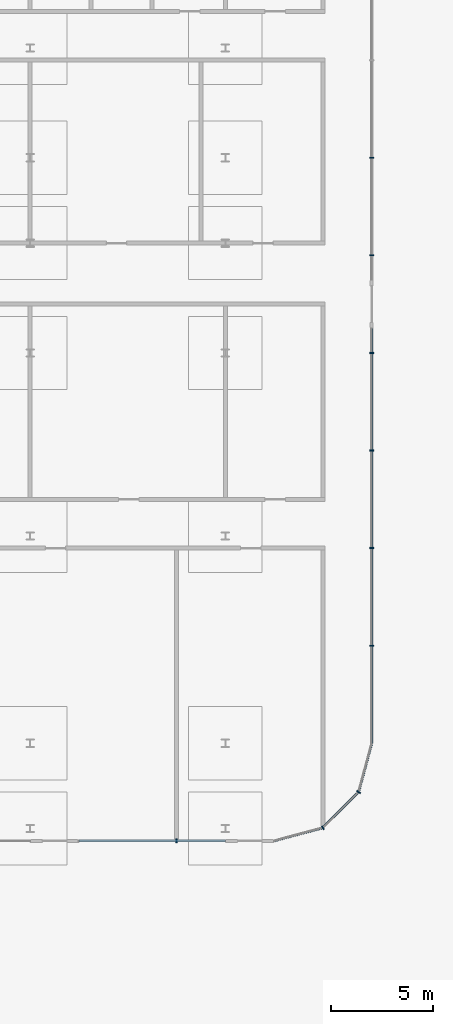
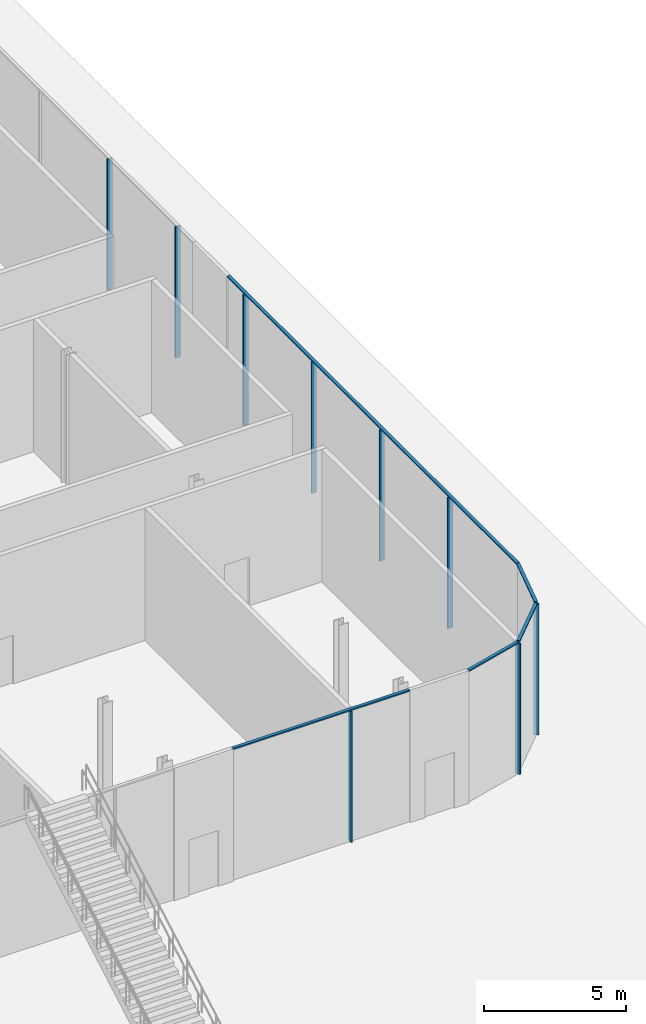
# One storey, part 11 of 44: 14 members, 3 elements without a shape of their own.
"""IFC4 building model written with IfcOpenShell, lengths in metres."""

import ifcopenshell
import ifcopenshell.guid

model = None  # the IFC model being written
_history = None  # IfcOwnerHistory: only IFC2X3 demands one
_inside = {}  # id of a spatial element -> (the spatial element, [elements in it])
_under = {}  # id of a project, library or spatial element -> (it, [spatial elements below it])
_declared = {}  # id of a project -> (the project, [libraries it declares])
_typed = {}  # id of a type object -> (the type object, [elements of that type])
_made_of = {}  # id of a material, layer set ... -> (it, [elements and type objects made of it])


def new_model(schema):
    """Start an empty IFC model of exactly this schema.

    Asked for "IFC4X3", IfcOpenShell would pick the latest addendum, in which some entities
    have other attributes; the version numbers below select the first issue.
    IFC2X3 requires an IfcOwnerHistory on every rooted entity: one is made here for all.
    """
    global model, _history
    if schema == "IFC4X3":
        model = ifcopenshell.file(schema_version=(4, 3, 0, 0))
    else:
        model = ifcopenshell.file(schema=schema)
    _inside.clear()
    _under.clear()
    _declared.clear()
    _typed.clear()
    _made_of.clear()
    _history = None
    if model.schema == "IFC2X3":
        org = make("IfcOrganization", Name="unknown")
        user = make(
            "IfcPersonAndOrganization",
            ThePerson=make("IfcPerson", FamilyName="unknown"),
            TheOrganization=org,
        )
        app = make(
            "IfcApplication",
            ApplicationDeveloper=org,
            Version="unknown",
            ApplicationFullName="unknown",
            ApplicationIdentifier="unknown",
        )
        _history = make(
            "IfcOwnerHistory",
            OwningUser=user,
            OwningApplication=app,
            ChangeAction="ADDED",
            CreationDate=0,
        )
    return model


def make(cls, **values):
    """One entity of the class cls with the attributes given. An attribute that is None is left unset."""
    return model.create_entity(
        cls, **{name: value for name, value in values.items() if value is not None}
    )


def rooted(cls, **values):
    """An entity with a GlobalId (a new one), such as an element, a storey or a relation."""
    return make(cls, GlobalId=ifcopenshell.guid.new(), OwnerHistory=_history, **values)


def si_unit(unit_type, name, prefix=None):
    """IfcSIUnit, for example si_unit("LENGTHUNIT", "METRE", prefix="MILLI")."""
    return make("IfcSIUnit", UnitType=unit_type, Prefix=prefix, Name=name)


def assignment(units):
    """IfcUnitAssignment: the units of a project."""
    return None if units is None else make("IfcUnitAssignment", Units=units)


def point(xyz):
    """IfcCartesianPoint."""
    return None if xyz is None else make("IfcCartesianPoint", Coordinates=xyz)


def direction(xyz):
    """IfcDirection."""
    return None if xyz is None else make("IfcDirection", DirectionRatios=xyz)


def frame(location, z_axis=None, x_axis=None):
    """IfcAxis2Placement3D, a coordinate frame: its origin and axes. An axis left out is left unset."""
    return make(
        "IfcAxis2Placement3D",
        Location=point(location),
        Axis=direction(z_axis),
        RefDirection=direction(x_axis),
    )


def frame_2d(location, x_axis=None):
    """IfcAxis2Placement2D, a coordinate frame in the plane: its origin and x axis."""
    return make(
        "IfcAxis2Placement2D", Location=point(location), RefDirection=direction(x_axis)
    )


def origin():
    """The frame at (0, 0, 0) with its axes left unset."""
    return frame((0.0, 0.0, 0.0))


def origin_2d():
    """The frame at (0, 0) in the plane with its x axis left unset."""
    return frame_2d((0.0, 0.0))


def place(relative_to, where):
    """IfcLocalPlacement: puts the frame where relative to a parent placement (None: the world)."""
    return make(
        "IfcLocalPlacement", PlacementRelTo=relative_to, RelativePlacement=where
    )


def context(
    kind, dimensions, precision=None, world=None, true_north=None, identifier=None
):
    """IfcGeometricRepresentationContext, for example the 3D "Model" context."""
    return make(
        "IfcGeometricRepresentationContext",
        ContextIdentifier=identifier,
        ContextType=kind,
        CoordinateSpaceDimension=dimensions,
        Precision=precision,
        WorldCoordinateSystem=world,
        TrueNorth=true_north,
    )


def subcontext(parent, identifier, kind, view, scale=None):
    """IfcGeometricRepresentationSubContext, for example "Body" below "Model"."""
    return make(
        "IfcGeometricRepresentationSubContext",
        ContextIdentifier=identifier,
        ContextType=kind,
        ParentContext=parent,
        TargetScale=scale,
        TargetView=view,
    )


def project(units=None, contexts=None):
    """IfcProject with its units and contexts."""
    return rooted(
        "IfcProject",
        Name="project",
        RepresentationContexts=contexts,
        UnitsInContext=assignment(units),
    )


def spatial(cls, under=None, at=None, **own):
    """A site, building, storey or space (cls), placed at a placement, below another one or the project."""
    s = rooted(cls, ObjectPlacement=at, **own)
    if under is not None:
        _under.setdefault(under.id(), (under, []))[1].append(s)
    return s


def profile(cls, at=None, kind="AREA", **sizes):
    """A parametric profile (cls). Its sizes go by their IFC names, for example OverallWidth=200.0."""
    return make(cls, ProfileType=kind, Position=at, **sizes)


def rectangle(**sizes):
    """IfcRectangleProfileDef."""
    return profile("IfcRectangleProfileDef", **sizes)


def extrude(swept, where, along, depth):
    """IfcExtrudedAreaSolid: the profile swept, set in the frame where, extruded along a direction by depth."""
    return make(
        "IfcExtrudedAreaSolid",
        SweptArea=swept,
        Position=where,
        ExtrudedDirection=direction(along),
        Depth=depth,
    )


def shape(context_of_items, identifier, shape_type, items):
    """IfcShapeRepresentation: the items that make up one representation, for example the "Body"."""
    return make(
        "IfcShapeRepresentation",
        ContextOfItems=context_of_items,
        RepresentationIdentifier=identifier,
        RepresentationType=shape_type,
        Items=items,
    )


def material(Name=None, Category=None):
    """IfcMaterial."""
    return make("IfcMaterial", Name=Name, Category=Category)


def layer(
    of_material, thickness, ventilated=None, Name=None, Category=None, Priority=None
):
    """IfcMaterialLayer: one layer of a wall or slab, of a material (None: an air gap)."""
    return make(
        "IfcMaterialLayer",
        Material=of_material,
        LayerThickness=thickness,
        IsVentilated=ventilated,
        Name=Name,
        Category=Category,
        Priority=Priority,
    )


def layer_set(layers, Name=None):
    """IfcMaterialLayerSet."""
    return make("IfcMaterialLayerSet", MaterialLayers=layers, LayerSetName=Name)


def material_profile(
    of_material, cross_section, Name=None, Category=None, Priority=None
):
    """IfcMaterialProfile: a cross section and its material."""
    return make(
        "IfcMaterialProfile",
        Name=Name,
        Material=of_material,
        Profile=cross_section,
        Priority=Priority,
        Category=Category,
    )


def profile_set(profiles, Name=None, composite=None):
    """IfcMaterialProfileSet."""
    return make(
        "IfcMaterialProfileSet",
        Name=Name,
        MaterialProfiles=profiles,
        CompositeProfile=composite,
    )


def made_of(thing, what):
    """Note that an element or type object is made of a material, layer set ...; save() writes the relation."""
    if what is not None:
        _made_of.setdefault(what.id(), (what, []))[1].append(thing)
    return thing


def type_object(cls, material=None, **own):
    """A type object (cls), such as IfcWallType, which elements share."""
    return made_of(rooted(cls, **own), material)


def element(
    cls,
    number,
    at=None,
    inside=None,
    cuts=None,
    type_object=None,
    material=None,
    context=None,
    identifier="Body",
    shape_type=None,
    held_by="IfcProductDefinitionShape",
    body=None,
    shapes=None,
    **own,
):
    """One element of the class cls, such as IfcWall. Its Tag is "e" and its number.

    at: its placement. inside: the storey or other place that contains it. cuts: it is an
    opening in that element (IfcRelVoidsElement). A single representation is given by context,
    identifier, shape_type and body (its items); several are given by shapes. held_by: the class
    of the entity that holds the representations. save() writes the other relations.
    """
    e = rooted(cls, Tag="e%d" % number, ObjectPlacement=at, **own)
    if body is not None:
        shapes = [shape(context, identifier, shape_type, body)]
    if shapes is not None:
        e.Representation = make(held_by, Representations=shapes)
    if inside is not None:
        _inside.setdefault(inside.id(), (inside, []))[1].append(e)
    if cuts is not None:
        rooted(
            "IfcRelVoidsElement", RelatingBuildingElement=cuts, RelatedOpeningElement=e
        )
    if type_object is not None:
        _typed.setdefault(type_object.id(), (type_object, []))[1].append(e)
    return made_of(e, material)


def aggregate(whole, parts):
    """IfcRelAggregates: a whole, such as a stair, and the parts it consists of."""
    return rooted("IfcRelAggregates", RelatingObject=whole, RelatedObjects=parts)


def save(model, path):
    """Write the relations noted so far, then the file.

    IfcRelAggregates (storeys below a building ...), IfcRelContainedInSpatialStructure (elements
    in a storey), IfcRelDefinesByType, IfcRelAssociatesMaterial and IfcRelDeclares: one each for
    every whole, place, type object, material and project.
    """
    for whole, parts in _under.values():
        aggregate(whole, parts)
    for where, things in _inside.values():
        rooted(
            "IfcRelContainedInSpatialStructure",
            RelatedElements=things,
            RelatingStructure=where,
        )
    for kind, things in _typed.values():
        rooted("IfcRelDefinesByType", RelatedObjects=things, RelatingType=kind)
    for what, things in _made_of.values():
        rooted("IfcRelAssociatesMaterial", RelatedObjects=things, RelatingMaterial=what)
    for by, libraries in _declared.values():
        rooted("IfcRelDeclares", RelatingContext=by, RelatedDefinitions=libraries)
    model.write(path)


model = new_model("IFC4")

# Units and contexts
model_context = context("Model", 3, precision=1e-05, world=origin(), true_north=direction((0.0, 1.0)))
body_context = subcontext(model_context, "Body", "Model", "MODEL_VIEW")
ifc_project = project(units=[si_unit("LENGTHUNIT", "METRE"), si_unit("AREAUNIT", "SQUARE_METRE"), si_unit("VOLUMEUNIT", "CUBIC_METRE"), si_unit("PLANEANGLEUNIT", "RADIAN"), si_unit("MASSUNIT", "GRAM", prefix="KILO")], contexts=[model_context])

# Site, building, storey
site_placement = place(None, origin())
site = spatial("IfcSite", under=ifc_project, at=site_placement, CompositionType="ELEMENT")
building_placement = place(site_placement, origin())
building = spatial("IfcBuilding", under=site, at=building_placement, Name="Madar Terraces", CompositionType="ELEMENT")
storey_placement = place(building_placement, origin())
storey = spatial("IfcBuildingStorey", under=building, at=storey_placement, Name="L00", CompositionType="ELEMENT", Elevation=0.0)

# Curtain wall, member
ifc_material_1 = material(Name="Glass, clear low-iron, with black aluminium frame", Category="aluminium")
ifc_layer = layer(ifc_material_1, 0.199951171875)
ifc_layer_set = layer_set([ifc_layer], Name="Facade curtain wall, shopfront glazing")
curtain_wall_type = type_object("IfcCurtainWallType", Name="Facade curtain wall, shopfront glazing", PredefinedType="NOTDEFINED", material=ifc_layer_set)
curtain_wall_1_placement = place(storey_placement, origin())
curtain_wall_1 = element("IfcCurtainWall", 1, at=curtain_wall_1_placement, inside=storey, type_object=curtain_wall_type, Name="Outer skin curtain wall south bay 1", PredefinedType="NOTDEFINED")
ifc_material_2 = material(Name="Aluminium, black anodised", Category="aluminium")
ifc_material_profile_1 = material_profile(ifc_material_2, rectangle(XDim=0.199951171875, YDim=0.06005859375, at=origin_2d()), Name="Facade mullion 60x200")
ifc_profile_set_1 = profile_set([ifc_material_profile_1], Name="Aluminium, black anodised")
member_type_1 = type_object("IfcMemberType", Name="Facade mullion 60x200", PredefinedType="MULLION", material=ifc_profile_set_1)
member_1_placement = place(storey_placement, frame((60.0, -52.800048828125, 0.0), z_axis=(0.0, 0.0, 1.0), x_axis=(0.0, 1.0, 0.0)))
member_1 = element("IfcMember", 2, at=member_1_placement, type_object=member_type_1, Name="Mullion 6", PredefinedType="MULLION", context=body_context, shape_type="SweptSolid", body=[
    extrude(rectangle(XDim=0.199951171875, YDim=0.06005859375, at=origin_2d()), origin(), (0.0, 0.0, 1.0), 5.639892578125),
])

# Curtain wall, members
curtain_wall_2_placement = place(storey_placement, origin())
curtain_wall_2 = element("IfcCurtainWall", 3, at=curtain_wall_2_placement, inside=storey, type_object=curtain_wall_type, Name="Outer skin curtain wall east bay 1", PredefinedType="NOTDEFINED")
member_2_placement = place(storey_placement, frame((69.60009765625, -43.199951171875, 0.0), z_axis=(0.0, 0.0, 1.0), x_axis=(-1.0, 0.0, 0.0)))
member_2 = element("IfcMember", 4, at=member_2_placement, type_object=member_type_1, Name="Mullion 1", PredefinedType="MULLION", context=body_context, shape_type="SweptSolid", body=[
    extrude(rectangle(XDim=0.199951171875, YDim=0.06005859375, at=origin_2d()), origin(), (0.0, 0.0, 1.0), 5.639892578125),
])
member_3_placement = place(storey_placement, frame((69.60009765625, -38.39990234375, 0.0), z_axis=(0.0, 0.0, 1.0), x_axis=(-1.0, 0.0, 0.0)))
member_3 = element("IfcMember", 5, at=member_3_placement, type_object=member_type_1, Name="Mullion 2", PredefinedType="MULLION", context=body_context, shape_type="SweptSolid", body=[
    extrude(rectangle(XDim=0.199951171875, YDim=0.06005859375, at=origin_2d()), origin(), (0.0, 0.0, 1.0), 5.639892578125),
])
member_4_placement = place(storey_placement, frame((69.60009765625, -33.60009765625, 0.0), z_axis=(0.0, 0.0, 1.0), x_axis=(-1.0, 0.0, 0.0)))
member_4 = element("IfcMember", 6, at=member_4_placement, type_object=member_type_1, Name="Mullion 3", PredefinedType="MULLION", context=body_context, shape_type="SweptSolid", body=[
    extrude(rectangle(XDim=0.199951171875, YDim=0.06005859375, at=origin_2d()), origin(), (0.0, 0.0, 1.0), 5.639892578125),
])
member_5_placement = place(storey_placement, frame((69.60009765625, -28.800048828125, 0.0), z_axis=(0.0, 0.0, 1.0), x_axis=(-1.0, 0.0, 0.0)))
member_5 = element("IfcMember", 7, at=member_5_placement, type_object=member_type_1, Name="Mullion 4", PredefinedType="MULLION", context=body_context, shape_type="SweptSolid", body=[
    extrude(rectangle(XDim=0.199951171875, YDim=0.06005859375, at=origin_2d()), origin(), (0.0, 0.0, 1.0), 5.639892578125),
])
member_6_placement = place(storey_placement, frame((69.60009765625, -24.0, 0.0), z_axis=(0.0, 0.0, 1.0), x_axis=(-1.0, 0.0, 0.0)))
member_6 = element("IfcMember", 8, at=member_6_placement, type_object=member_type_1, Name="Mullion 5", PredefinedType="MULLION", context=body_context, shape_type="SweptSolid", body=[
    extrude(rectangle(XDim=0.199951171875, YDim=0.06005859375, at=origin_2d()), origin(), (0.0, 0.0, 1.0), 5.639892578125),
])
member_7_placement = place(storey_placement, frame((69.60009765625, -19.199951171875, 0.0), z_axis=(0.0, 0.0, 1.0), x_axis=(-1.0, 0.0, 0.0)))
member_7 = element("IfcMember", 9, at=member_7_placement, type_object=member_type_1, Name="Mullion 6", PredefinedType="MULLION", context=body_context, shape_type="SweptSolid", body=[
    extrude(rectangle(XDim=0.199951171875, YDim=0.06005859375, at=origin_2d()), origin(), (0.0, 0.0, 1.0), 5.639892578125),
])

curtain_wall_3_placement = place(storey_placement, origin())
curtain_wall_3 = element("IfcCurtainWall", 10, at=curtain_wall_3_placement, inside=storey, type_object=curtain_wall_type, Name="Outer skin curtain wall south-east corner", PredefinedType="NOTDEFINED")
member_8_placement = place(storey_placement, frame((67.199951171875, -52.156982421875, 0.0), z_axis=(0.0, 0.0, 1.0), x_axis=(-0.499999989586, 0.866025409797, 0.0)))
member_8 = element("IfcMember", 11, at=member_8_placement, type_object=member_type_1, Name="Mullion 1", PredefinedType="MULLION", context=body_context, shape_type="SweptSolid", body=[
    extrude(rectangle(XDim=0.199951171875, YDim=0.06005859375, at=origin_2d()), origin(), (0.0, 0.0, 1.0), 5.639892578125),
])
member_9_placement = place(storey_placement, frame((68.95703125, -50.39990234375, 0.0), z_axis=(0.0, 0.0, 1.0), x_axis=(-0.866025409797, 0.499999989586, 0.0)))
member_9 = element("IfcMember", 12, at=member_9_placement, type_object=member_type_1, Name="Mullion 2", PredefinedType="MULLION", context=body_context, shape_type="SweptSolid", body=[
    extrude(rectangle(XDim=0.199951171875, YDim=0.06005859375, at=origin_2d()), origin(), (0.0, 0.0, 1.0), 5.639892578125),
])

# Member
ifc_material_3 = material(Name="Aluminium, black anodised", Category="aluminium")
ifc_material_profile_2 = material_profile(ifc_material_3, rectangle(XDim=0.1201171875, YDim=0.06005859375, at=origin_2d()), Name="Facade transom 60x120")
ifc_profile_set_2 = profile_set([ifc_material_profile_2], Name="Aluminium, black anodised")
member_type_2 = type_object("IfcMemberType", Name="Facade transom 60x120", PredefinedType="USERDEFINED", material=ifc_profile_set_2)
member_10_placement = place(storey_placement, frame((55.199951171875, -52.800048828125, 5.669921875), z_axis=(1.0, 0.0, 0.0), x_axis=(0.0, 1.0, 0.0)))
member_10 = element("IfcMember", 13, at=member_10_placement, type_object=member_type_2, Name="Transom 7", ObjectType="TRANSOM", PredefinedType="USERDEFINED", context=body_context, shape_type="SweptSolid", body=[
    extrude(rectangle(XDim=0.1201171875, YDim=0.06005859375, at=origin_2d()), origin(), (0.0, 0.0, 1.0), 7.199951171875),
])

aggregate(curtain_wall_1, [member_1, member_10])

member_11_placement = place(storey_placement, frame((69.60009765625, -48.0, 5.669921875), z_axis=(0.0, 1.0, 0.0), x_axis=(-1.0, 0.0, 0.0)))
member_11 = element("IfcMember", 14, at=member_11_placement, type_object=member_type_2, Name="Transom 1", ObjectType="TRANSOM", PredefinedType="USERDEFINED", context=body_context, shape_type="SweptSolid", body=[
    extrude(rectangle(XDim=0.1201171875, YDim=0.06005859375, at=origin_2d()), origin(), (0.0, 0.0, 1.0), 20.39990234375),
])

aggregate(curtain_wall_2, [member_2, member_3, member_4, member_5, member_11, member_6, member_7])

member_12_placement = place(storey_placement, frame((64.800048828125, -52.800048828125, 5.669921875), z_axis=(0.965933846022, 0.258789113195, 0.0), x_axis=(-0.258789113195, 0.965933846022, 0.0)))
member_12 = element("IfcMember", 15, at=member_12_placement, type_object=member_type_2, Name="Transom 1", ObjectType="TRANSOM", PredefinedType="USERDEFINED", context=body_context, shape_type="SweptSolid", body=[
    extrude(rectangle(XDim=0.1201171875, YDim=0.06005859375, at=origin_2d()), origin(), (0.0, 0.0, 1.0), 2.454833984375),
])

member_13_placement = place(storey_placement, frame((67.22119140625, -52.1357421875, 5.669921875), z_axis=(0.707106781187, 0.707106781187, 0.0), x_axis=(-0.707106781187, 0.707106781187, 0.0)))
member_13 = element("IfcMember", 16, at=member_13_placement, type_object=member_type_2, Name="Transom 2", ObjectType="TRANSOM", PredefinedType="USERDEFINED", context=body_context, shape_type="SweptSolid", body=[
    extrude(rectangle(XDim=0.1201171875, YDim=0.06005859375, at=origin_2d()), origin(), (0.0, 0.0, 1.0), 2.4248046875),
])

member_14_placement = place(storey_placement, frame((68.964599609375, -50.37109375, 5.669921875), z_axis=(0.258881906514, 0.965908980432, 0.0), x_axis=(-0.965908980432, 0.258881906514, 0.0)))
member_14 = element("IfcMember", 17, at=member_14_placement, type_object=member_type_2, Name="Transom 3", ObjectType="TRANSOM", PredefinedType="USERDEFINED", context=body_context, shape_type="SweptSolid", body=[
    extrude(rectangle(XDim=0.1201171875, YDim=0.06005859375, at=origin_2d()), origin(), (0.0, 0.0, 1.0), 2.454833984375),
])

aggregate(curtain_wall_3, [member_8, member_12, member_9, member_13, member_14])

save(model, "model.ifc")
